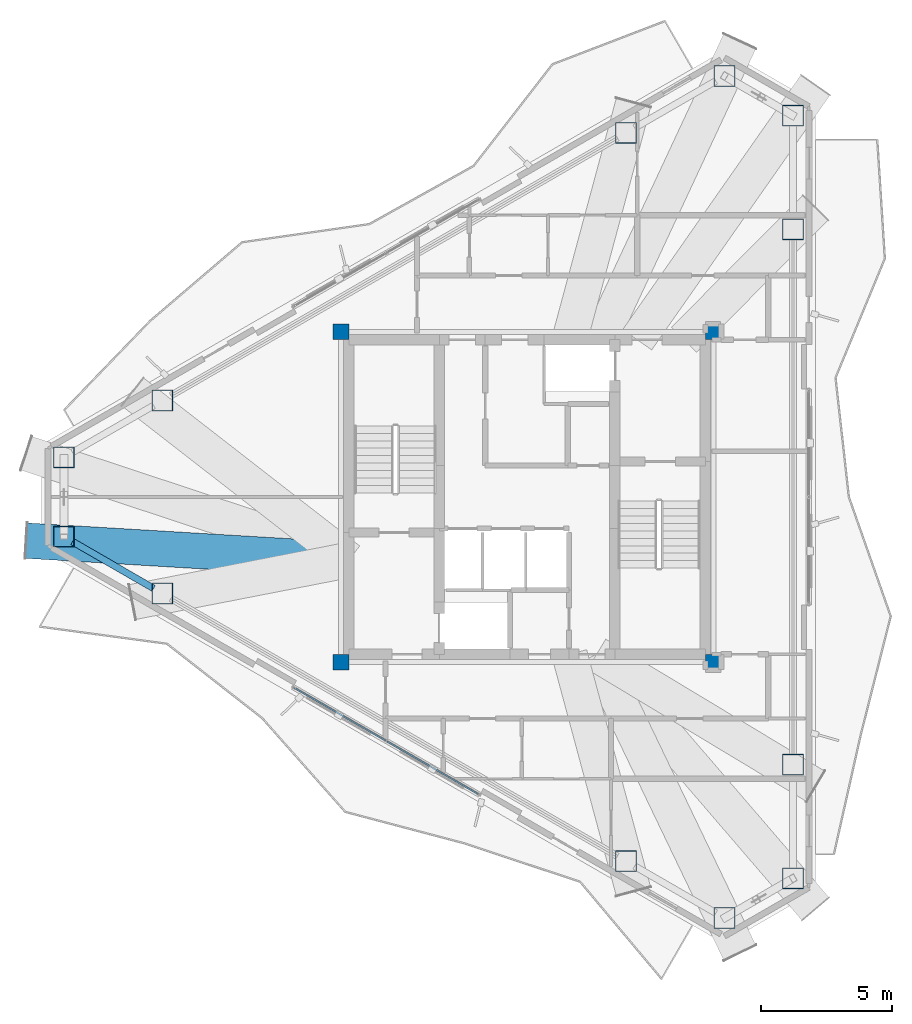
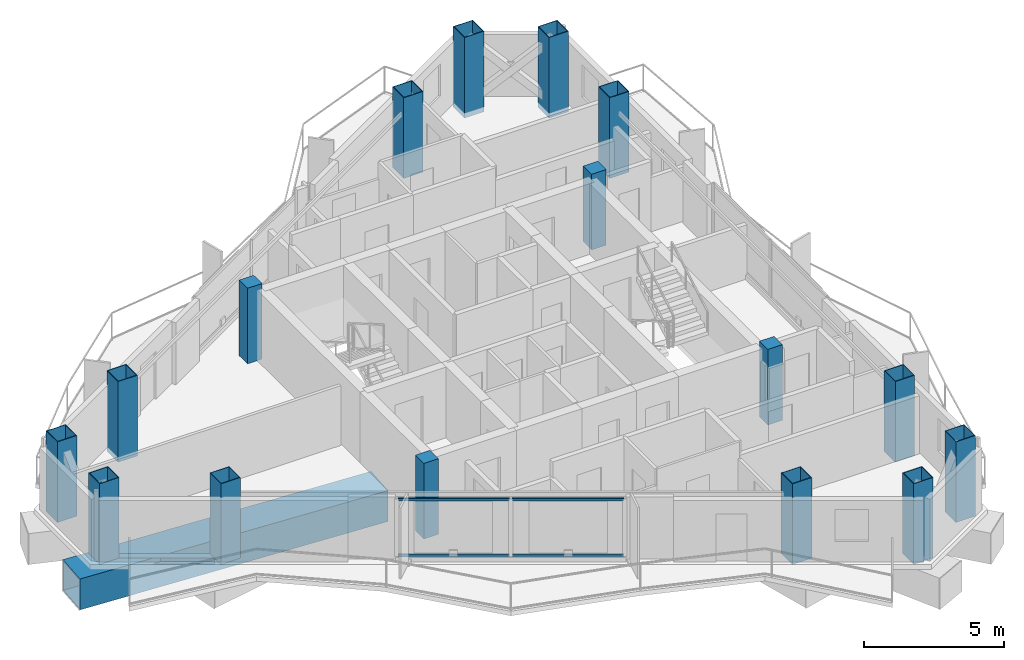
# One storey, part 1 of 17: 16 columns, 4 members, 2 beams, 1 element without a shape of its own.
"""IFC4 building model written with IfcOpenShell, lengths in metres."""

from ifc_helpers import new_model, si_unit, direction, frame, origin, origin_2d, place, context, subcontext, project, spatial, rectangle, hollow_rectangle, i_section, extrude, material, layer, layer_set, material_profile, profile_set, type_object, element, aggregate, save


model = new_model("IFC4")

# Units and contexts
model_context = context("Model", 3, precision=1e-05, world=origin(), true_north=direction((0.0, 1.0)))
body_context = subcontext(model_context, "Body", "Model", "MODEL_VIEW")
ifc_project = project(units=[si_unit("LENGTHUNIT", "METRE"), si_unit("AREAUNIT", "SQUARE_METRE"), si_unit("VOLUMEUNIT", "CUBIC_METRE"), si_unit("PLANEANGLEUNIT", "RADIAN"), si_unit("MASSUNIT", "GRAM", prefix="KILO")], contexts=[model_context])

# Site, building, storey
site_placement = place(None, origin())
site = spatial("IfcSite", under=ifc_project, at=site_placement, CompositionType="ELEMENT")
building_placement = place(site_placement, origin())
building = spatial("IfcBuilding", under=site, at=building_placement, Name="Mersakhor Tower and Convention Hall", CompositionType="ELEMENT")
storey_placement = place(building_placement, frame((0.0, 0.0, 223.199951171875)))
storey = spatial("IfcBuildingStorey", under=building, at=storey_placement, Name="L62", CompositionType="ELEMENT", Elevation=223.199951171875)

# Columns
ifc_material_1 = material(Name="Concrete C50/60 in S460M steel box", Category="concrete")
ifc_material_profile_1 = material_profile(ifc_material_1, hollow_rectangle(XDim=0.800048828125, YDim=0.800048828125, WallThickness=0.02490234375, at=origin_2d()), Name="SHS 800x800x25")
ifc_profile_set_1 = profile_set([ifc_material_profile_1], Name="Concrete C50/60 in S460M steel box")
column_type_1 = type_object("IfcColumnType", Name="COL-CFT-800", PredefinedType="COLUMN", material=ifc_profile_set_1)
for number, where, z_axis, x_axis, name in (
    (1, (11.33203125, 28.26123046875, -0.219970703125), (0.0, 0.0, 1.0), (1.0, 0.0, 0.0), "L62 Perimeter Mega-Column MC-01"),
    (2, (15.085693359375, 30.428466796875, -0.219970703125), (0.0, 0.0, 1.0), (1.0, 0.0, 0.0), "L62 Perimeter Mega-Column MC-02"),
    (3, (32.771484375, 40.639404296875, -0.219970703125), (0.0, 0.0, 1.0), (1.0, 0.0, 0.0), "L62 Perimeter Mega-Column MC-03"),
    (4, (36.525146484375, 42.806640625, -0.219970703125), (0.0, 0.0, 1.0), (1.0, 0.0, 0.0), "L62 Perimeter Mega-Column MC-04"),
    (5, (39.142822265625, 41.29541015625, -0.219970703125), (0.0, 0.0, 1.0), (1.0, 0.0, 0.0), "L62 Perimeter Mega-Column MC-05"),
    (6, (39.142822265625, 36.960693359375, -0.219970703125), (0.0, 0.0, 1.0), (1.0, 0.0, 0.0), "L62 Perimeter Mega-Column MC-06"),
    (7, (39.142822265625, 16.539306640625, -0.219970703125), (0.0, 0.0, 1.0), (1.0, 0.0, 0.0), "L62 Perimeter Mega-Column MC-07"),
    (8, (39.142822265625, 12.20458984375, -0.219970703125), (0.0, 0.0, 1.0), (1.0, 0.0, 0.0), "L62 Perimeter Mega-Column MC-08"),
    (9, (36.525146484375, 10.693359375, -0.219970703125), (0.0, 0.0, 1.0), (1.0, 0.0, 0.0), "L62 Perimeter Mega-Column MC-09"),
    (10, (32.771484375, 12.860595703125, -0.219970703125), (0.0, 0.0, 1.0), (1.0, 0.0, 0.0), "L62 Perimeter Mega-Column MC-10"),
    (11, (15.085693359375, 23.071533203125, -0.219970703125), (0.0, 0.0, 1.0), (1.0, 0.0, 0.0), "L62 Perimeter Mega-Column MC-11"),
    (12, (11.33203125, 25.23876953125, -0.219970703125), (0.0, 0.0, 1.0), (1.0, 0.0, 0.0), "L62 Perimeter Mega-Column MC-12"),
):
    element("IfcColumn", number, at=place(storey_placement, frame(where, z_axis=z_axis, x_axis=x_axis)), inside=storey, type_object=column_type_1, Name=name, PredefinedType="COLUMN", context=body_context, shape_type="SweptSolid", body=[
        extrude(hollow_rectangle(XDim=0.800048828125, YDim=0.800048828125, WallThickness=0.02490234375, at=origin_2d()), origin(), (0.0, 0.0, 1.0), 3.52001953125),
    ])
ifc_material_2 = material(Name="Concrete C50/60", Category="concrete")
ifc_material_profile_2 = material_profile(ifc_material_2, rectangle(XDim=0.60009765625, YDim=0.60009765625, at=origin_2d()), Name="RC 600x600")
ifc_profile_set_2 = profile_set([ifc_material_profile_2], Name="Concrete C50/60")
column_type_2 = type_object("IfcColumnType", Name="COL-RC-600", PredefinedType="COLUMN", material=ifc_profile_set_2)
for number, where, z_axis, x_axis, name in (
    (13, (21.89990234375, 20.449951171875, 0.0), (0.0, 0.0, 1.0), (1.0, 0.0, 0.0), "L62 Core Corner Column CC-1"),
    (14, (21.89990234375, 33.050048828125, 0.0), (0.0, 0.0, 1.0), (1.0, 0.0, 0.0), "L62 Core Corner Column CC-2"),
    (15, (36.10009765625, 33.050048828125, 0.0), (0.0, 0.0, 1.0), (1.0, 0.0, 0.0), "L62 Core Corner Column CC-3"),
    (16, (36.10009765625, 20.449951171875, 0.0), (0.0, 0.0, 1.0), (1.0, 0.0, 0.0), "L62 Core Corner Column CC-4"),
):
    element("IfcColumn", number, at=place(storey_placement, frame(where, z_axis=z_axis, x_axis=x_axis)), inside=storey, type_object=column_type_2, Name=name, PredefinedType="COLUMN", context=body_context, shape_type="SweptSolid", body=[
        extrude(rectangle(XDim=0.60009765625, YDim=0.60009765625, at=origin_2d()), origin(), (0.0, 0.0, 1.0), 3.300048828125),
    ])

# Beams
ifc_material_3 = material(Name="Steel S355", Category="steel")
ifc_material_profile_3 = material_profile(ifc_material_3, i_section(OverallWidth=0.25634765625, OverallDepth=0.26025390625, WebThickness=0.01025390625, FlangeThickness=0.017333984375, at=origin_2d()), Name="UC 254x254x89")
ifc_profile_set_3 = profile_set([ifc_material_profile_3], Name="Steel S355")
beam_type_1 = type_object("IfcBeamType", Name="BM-SPD-UC254", PredefinedType="SPANDREL", material=ifc_profile_set_3)
beam_1_placement = place(storey_placement, frame((14.756591796875, 23.261474609375, -0.35009765625), z_axis=(-0.866032030752, 0.499988521579, 0.0), x_axis=(-0.499988521579, -0.866032030752, 0.0)))
element("IfcBeam", 17, at=beam_1_placement, inside=storey, type_object=beam_type_1, Name="L62 Perimeter Spandrel Beam SPB-11", PredefinedType="SPANDREL", context=body_context, shape_type="SweptSolid", body=[
    extrude(i_section(OverallWidth=0.25634765625, OverallDepth=0.26025390625, WebThickness=0.01025390625, FlangeThickness=0.017333984375, at=origin_2d()), origin(), (0.0, 0.0, 1.0), 3.57421875),
])
ifc_material_4 = material(Name="Steel S460", Category="steel")
ifc_material_profile_4 = material_profile(ifc_material_4, hollow_rectangle(XDim=1.35009765625, YDim=1.35009765625, WallThickness=0.035888671875, at=origin_2d()), Name="SHS 1350x1350x36")
ifc_profile_set_4 = profile_set([ifc_material_profile_4], Name="Steel S460")
beam_type_2 = type_object("IfcBeamType", Name="BM-TR-BOX1350", PredefinedType="BEAM", material=ifc_profile_set_4)
beam_2_placement = place(storey_placement, frame((9.907470703125, 25.084716796875, -0.89501953125), z_axis=(0.998219040548, -0.059655235214, 0.0), x_axis=(0.059655235214, 0.998219040548, 0.0)))
element("IfcBeam", 18, at=beam_2_placement, inside=storey, type_object=beam_type_2, Name="L62 Taper Step Transfer Girder STG-12", PredefinedType="BEAM", context=body_context, shape_type="SweptSolid", body=[
    extrude(hollow_rectangle(XDim=1.35009765625, YDim=1.35009765625, WallThickness=0.035888671875, at=origin_2d()), origin(), (0.0, 0.0, 1.0), 12.314453125),
])

# Curtain wall, members
ifc_material_5 = material(Name="Dark solar low-E aluminium curtain wall", Category="aluminium")
ifc_layer = layer(ifc_material_5, 0.179931640625)
ifc_layer_set = layer_set([ifc_layer], Name="Dark solar low-E aluminium curtain wall")
curtain_wall_type = type_object("IfcCurtainWallType", Name="CW-SYS-03", PredefinedType="USERDEFINED", material=ifc_layer_set)
curtain_wall_placement = place(storey_placement, origin())
curtain_wall = element("IfcCurtainWall", 19, at=curtain_wall_placement, inside=storey, type_object=curtain_wall_type, Name="L62 Dark-Glass Curtain Wall F3-B2", ObjectType="CURTAIN WALL", PredefinedType="USERDEFINED")
ifc_material_6 = material(Name="Anodised aluminium EN AW-6063 T6", Category="aluminium")
ifc_material_profile_5 = material_profile(ifc_material_6, hollow_rectangle(XDim=0.06005859375, YDim=0.1201171875, WallThickness=0.0048828125, at=origin_2d()), Name="RHS 120x60x5")
ifc_profile_set_5 = profile_set([ifc_material_profile_5], Name="Anodised aluminium EN AW-6063 T6")
member_type = type_object("IfcMemberType", Name="CWT-120x60", PredefinedType="USERDEFINED", material=ifc_profile_set_5)
member_1_placement = place(storey_placement, frame((27.12646484375, 15.427001953125, 0.22998046875), z_axis=(-0.866023018642, 0.500004131166, 0.0), x_axis=(-0.500004131166, -0.866023018642, 0.0)))
member_1 = element("IfcMember", 20, at=member_1_placement, type_object=member_type, Name="CW-03 transom 1.1", ObjectType="TRANSOM", PredefinedType="USERDEFINED", context=body_context, shape_type="SweptSolid", body=[
    extrude(hollow_rectangle(XDim=0.06005859375, YDim=0.1201171875, WallThickness=0.0048828125, at=origin_2d()), origin(), (0.0, 0.0, 1.0), 4.00146484375),
])
member_2_placement = place(storey_placement, frame((27.12646484375, 15.427001953125, 2.670166015625), z_axis=(-0.866023018642, 0.500004131166, 0.0), x_axis=(-0.500004131166, -0.866023018642, 0.0)))
member_2 = element("IfcMember", 21, at=member_2_placement, type_object=member_type, Name="CW-03 transom 1.2", ObjectType="TRANSOM", PredefinedType="USERDEFINED", context=body_context, shape_type="SweptSolid", body=[
    extrude(hollow_rectangle(XDim=0.06005859375, YDim=0.1201171875, WallThickness=0.0048828125, at=origin_2d()), origin(), (0.0, 0.0, 1.0), 4.00146484375),
])
member_3_placement = place(storey_placement, frame((23.59619140625, 17.465087890625, 0.22998046875), z_axis=(-0.866023018642, 0.500004131166, 0.0), x_axis=(-0.500004131166, -0.866023018642, 0.0)))
member_3 = element("IfcMember", 22, at=member_3_placement, type_object=member_type, Name="CW-03 transom 2.1", ObjectType="TRANSOM", PredefinedType="USERDEFINED", context=body_context, shape_type="SweptSolid", body=[
    extrude(hollow_rectangle(XDim=0.06005859375, YDim=0.1201171875, WallThickness=0.0048828125, at=origin_2d()), origin(), (0.0, 0.0, 1.0), 4.00146484375),
])
member_4_placement = place(storey_placement, frame((23.59619140625, 17.465087890625, 2.670166015625), z_axis=(-0.866023018642, 0.500004131166, 0.0), x_axis=(-0.500004131166, -0.866023018642, 0.0)))
member_4 = element("IfcMember", 23, at=member_4_placement, type_object=member_type, Name="CW-03 transom 2.2", ObjectType="TRANSOM", PredefinedType="USERDEFINED", context=body_context, shape_type="SweptSolid", body=[
    extrude(hollow_rectangle(XDim=0.06005859375, YDim=0.1201171875, WallThickness=0.0048828125, at=origin_2d()), origin(), (0.0, 0.0, 1.0), 4.00146484375),
])
aggregate(curtain_wall, [member_1, member_2, member_3, member_4])

save(model, "model.ifc")
